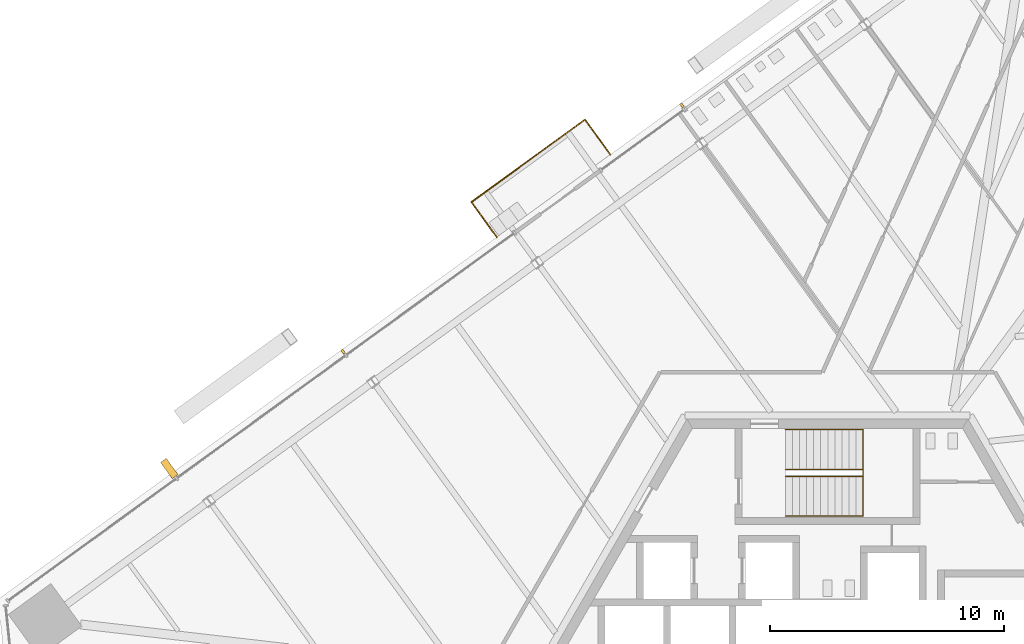
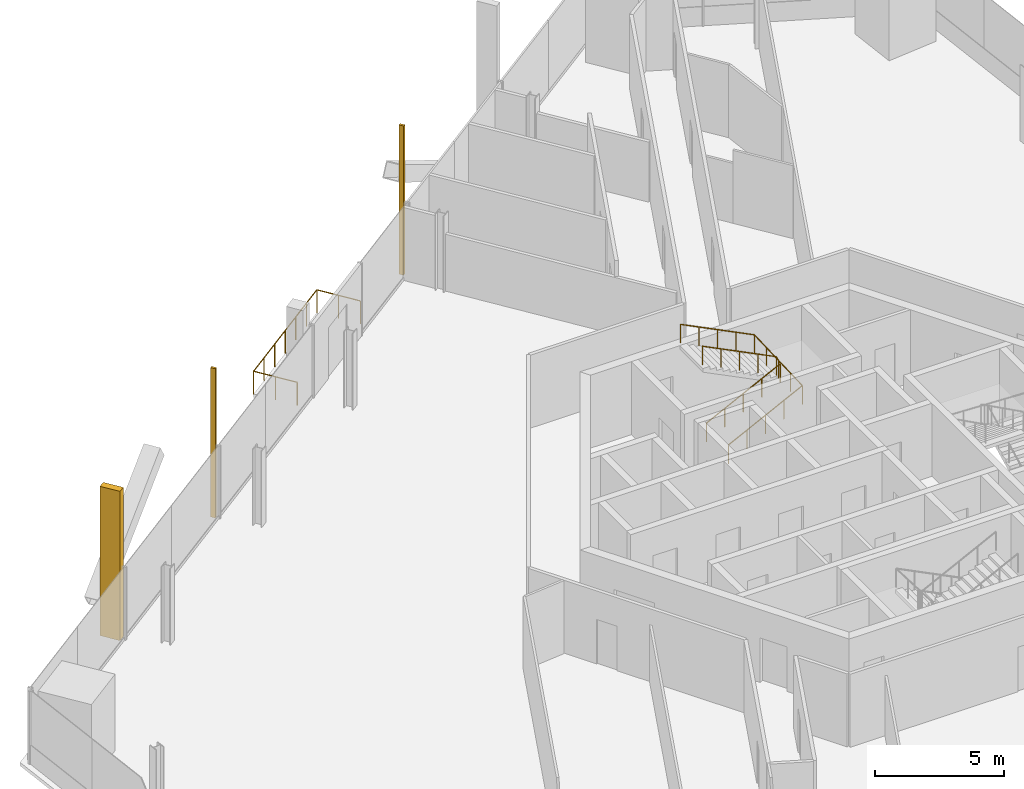
# One storey, part 17 of 21: 3 railings, 3 shading devices.
"""IFC4 building model written with IfcOpenShell, lengths in metres."""

from ifc_helpers import new_model, si_unit, direction, frame, origin, origin_2d, place, context, subcontext, project, spatial, rectangle, circle, extrude, source, transform, mapped, material, type_object, element, save


model = new_model("IFC4")

# Units and contexts
model_context = context("Model", 3, precision=1e-05, world=origin(), true_north=direction((0.0, 1.0)))
body_context = subcontext(model_context, "Body", "Model", "MODEL_VIEW")
ifc_project = project(units=[si_unit("LENGTHUNIT", "METRE"), si_unit("AREAUNIT", "SQUARE_METRE"), si_unit("VOLUMEUNIT", "CUBIC_METRE"), si_unit("PLANEANGLEUNIT", "RADIAN"), si_unit("MASSUNIT", "GRAM", prefix="KILO")], contexts=[model_context])

# Site, building, storey
site_placement = place(None, origin())
site = spatial("IfcSite", under=ifc_project, at=site_placement, CompositionType="ELEMENT")
building_placement = place(site_placement, origin())
building = spatial("IfcBuilding", under=site, at=building_placement, Name="Triune Harvest Tower", CompositionType="ELEMENT")
storey_placement = place(building_placement, frame((0.0, 0.0, 65.699951171875)))
storey = spatial("IfcBuildingStorey", under=building, at=storey_placement, Name="L15", CompositionType="ELEMENT", Elevation=65.699951171875)

# Railings
ifc_material_1 = material(Name="Glass", Category="glass")
railing_type_1 = type_object("IfcRailingType", Name="GD-2 balcony guard 1100", PredefinedType="GUARDRAIL", material=ifc_material_1)
railing_1_placement = place(storey_placement, frame((-9.276123046875, 21.687255859375, 0.0)))
element("IfcRailing", 1, at=railing_1_placement, inside=storey, type_object=railing_type_1, Name="Balcony guard B2-F3 L15.6", PredefinedType="GUARDRAIL", context=body_context, shape_type="SweptSolid", body=[
    extrude(circle(Radius=0.02392578125, at=origin_2d()), frame((0.0, 0.0, 1.076171875), z_axis=(-0.587841163615, 0.808976369469, 0.0), x_axis=(-0.808976369469, -0.587841163615, 0.0)), (0.0, 0.0, 1.0), 1.8447265625),
    extrude(circle(Radius=0.02392578125, at=origin_2d()), frame((-1.08447265625, 1.492431640625, 1.076171875), z_axis=(-0.808999938455, -0.587808727036, 0.0), x_axis=(0.587808727036, -0.808999938455, 0.0)), (0.0, 0.0, 1.0), 6.0),
    extrude(circle(Radius=0.02392578125, at=origin_2d()), frame((-5.9384765625, -2.034423828125, 1.076171875), z_axis=(0.587754546485, -0.809039302559, 0.0), x_axis=(0.809039302559, 0.587754546485, 0.0)), (0.0, 0.0, 1.0), 1.8447265625),
    extrude(circle(Radius=0.02099609375, at=origin_2d()), origin(), (0.0, 0.0, 1.0), 1.052001953125),
    extrude(circle(Radius=0.02099609375, at=origin_2d()), frame((-0.542236328125, 0.74609375, 0.0)), (0.0, 0.0, 1.0), 1.052001953125),
    extrude(circle(Radius=0.02099609375, at=origin_2d()), frame((-1.08447265625, 1.492431640625, 0.0)), (0.0, 0.0, 1.0), 1.052001953125),
    extrude(circle(Radius=0.02099609375, at=origin_2d()), frame((-1.8935546875, 0.904541015625, 0.0)), (0.0, 0.0, 1.0), 1.052001953125),
    extrude(circle(Radius=0.02099609375, at=origin_2d()), frame((-2.702392578125, 0.31689453125, 0.0)), (0.0, 0.0, 1.0), 1.052001953125),
    extrude(circle(Radius=0.02099609375, at=origin_2d()), frame((-3.511474609375, -0.27099609375, 0.0)), (0.0, 0.0, 1.0), 1.052001953125),
    extrude(circle(Radius=0.02099609375, at=origin_2d()), frame((-4.320556640625, -0.85888671875, 0.0)), (0.0, 0.0, 1.0), 1.052001953125),
    extrude(circle(Radius=0.02099609375, at=origin_2d()), frame((-5.12939453125, -1.446533203125, 0.0)), (0.0, 0.0, 1.0), 1.052001953125),
    extrude(circle(Radius=0.02099609375, at=origin_2d()), frame((-5.9384765625, -2.034423828125, 0.0)), (0.0, 0.0, 1.0), 1.052001953125),
    extrude(circle(Radius=0.02099609375, at=origin_2d()), frame((-5.396484375, -2.78076171875, 0.0)), (0.0, 0.0, 1.0), 1.052001953125),
    extrude(circle(Radius=0.02099609375, at=origin_2d()), frame((-4.854248046875, -3.52685546875, 0.0)), (0.0, 0.0, 1.0), 1.052001953125),
])
ifc_material_2 = material(Name="Stainless steel AISI 316", Category="steel")
railing_type_2 = type_object("IfcRailingType", Name="Stair handrail", PredefinedType="HANDRAIL", material=ifc_material_2)
shared_shape_1 = source(origin(), body_context, "Body", "SweptSolid", [
    extrude(circle(Radius=0.02392578125, at=origin_2d()), frame((0.0, 0.0, 0.8759765625), z_axis=(0.894440424912, 0.0, 0.447187126696), x_axis=(0.0, 1.0, 0.0)), (0.0, 0.0, 1.0), 3.689453125),
    extrude(circle(Radius=0.02392578125, at=origin_2d()), frame((3.300048828125, 0.0, 2.52587890625), z_axis=(0.0, 0.999180289278, 0.040481471304), x_axis=(-1.0, 0.0, 0.0)), (0.0, 0.0, 1.0), 3.702880859375),
    extrude(circle(Radius=0.02392578125, at=origin_2d()), frame((3.300048828125, 3.699951171875, 2.67578125), z_axis=(-0.894413956696, 0.0, 0.447240063129), x_axis=(0.0, -1.0, 0.0)), (0.0, 0.0, 1.0), 3.689697265625),
    extrude(circle(Radius=0.02099609375, at=origin_2d()), origin(), (0.0, 0.0, 1.0), 0.851806640625),
    extrude(circle(Radius=0.02099609375, at=origin_2d()), frame((0.824951171875, 0.0, 0.41259765625)), (0.0, 0.0, 1.0), 0.851806640625),
    extrude(circle(Radius=0.02099609375, at=origin_2d()), frame((1.64990234375, 0.0, 0.824951171875)), (0.0, 0.0, 1.0), 0.851806640625),
    extrude(circle(Radius=0.02099609375, at=origin_2d()), frame((2.47509765625, 0.0, 1.2373046875)), (0.0, 0.0, 1.0), 0.851806640625),
    extrude(circle(Radius=0.02099609375, at=origin_2d()), frame((3.300048828125, 0.0, 1.64990234375)), (0.0, 0.0, 1.0), 0.851806640625),
    extrude(circle(Radius=0.02099609375, at=origin_2d()), frame((3.300048828125, 0.925048828125, 1.6875)), (0.0, 0.0, 1.0), 0.851806640625),
    extrude(circle(Radius=0.02099609375, at=origin_2d()), frame((3.300048828125, 1.85009765625, 1.724853515625)), (0.0, 0.0, 1.0), 0.851806640625),
    extrude(circle(Radius=0.02099609375, at=origin_2d()), frame((3.300048828125, 2.77490234375, 1.76220703125)), (0.0, 0.0, 1.0), 0.851806640625),
    extrude(circle(Radius=0.02099609375, at=origin_2d()), frame((3.300048828125, 3.699951171875, 1.7998046875)), (0.0, 0.0, 1.0), 0.851806640625),
    extrude(circle(Radius=0.02099609375, at=origin_2d()), frame((2.47509765625, 3.699951171875, 2.21240234375)), (0.0, 0.0, 1.0), 0.851806640625),
    extrude(circle(Radius=0.02099609375, at=origin_2d()), frame((1.64990234375, 3.699951171875, 2.625)), (0.0, 0.0, 1.0), 0.851806640625),
    extrude(circle(Radius=0.02099609375, at=origin_2d()), frame((0.824951171875, 3.699951171875, 3.037353515625)), (0.0, 0.0, 1.0), 0.851806640625),
    extrude(circle(Radius=0.02099609375, at=origin_2d()), frame((0.0, 3.699951171875, 3.449951171875)), (0.0, 0.0, 1.0), 0.851806640625),
])
railing_2_placement = place(storey_placement, frame((-1.7900390625, 6.239990234375, 0.150146484375)))
element("IfcRailing", 2, at=railing_2_placement, inside=storey, type_object=railing_type_2, Name="Exit stair north wall handrail", PredefinedType="HANDRAIL", context=body_context, shape_type="MappedRepresentation", body=[
    mapped(shared_shape_1, transform((0.0, 0.0, 0.0), scale=1.0)),
])
shared_shape_2 = source(origin(), body_context, "Body", "SweptSolid", [
    extrude(circle(Radius=0.02392578125, at=origin_2d()), frame((0.0, 0.0, 0.8759765625), z_axis=(0.894440424912, 0.0, 0.447187126696), x_axis=(0.0, 1.0, 0.0)), (0.0, 0.0, 1.0), 3.689453125),
    extrude(circle(Radius=0.02392578125, at=origin_2d()), frame((3.300048828125, 0.0, 2.52587890625), z_axis=(0.0, 0.894572720946, 0.446922417137), x_axis=(-1.0, 0.0, 0.0)), (0.0, 0.0, 1.0), 0.33544921875),
    extrude(circle(Radius=0.02392578125, at=origin_2d()), frame((3.300048828125, 0.300048828125, 2.67578125), z_axis=(-0.894413956696, 0.0, 0.447240063129), x_axis=(0.0, -1.0, 0.0)), (0.0, 0.0, 1.0), 3.689697265625),
    extrude(circle(Radius=0.02099609375, at=origin_2d()), origin(), (0.0, 0.0, 1.0), 0.851806640625),
    extrude(circle(Radius=0.02099609375, at=origin_2d()), frame((0.824951171875, 0.0, 0.41259765625)), (0.0, 0.0, 1.0), 0.851806640625),
    extrude(circle(Radius=0.02099609375, at=origin_2d()), frame((1.64990234375, 0.0, 0.824951171875)), (0.0, 0.0, 1.0), 0.851806640625),
    extrude(circle(Radius=0.02099609375, at=origin_2d()), frame((2.47509765625, 0.0, 1.2373046875)), (0.0, 0.0, 1.0), 0.851806640625),
    extrude(circle(Radius=0.02099609375, at=origin_2d()), frame((3.300048828125, 0.0, 1.64990234375)), (0.0, 0.0, 1.0), 0.851806640625),
    extrude(circle(Radius=0.02099609375, at=origin_2d()), frame((3.300048828125, 0.300048828125, 1.7998046875)), (0.0, 0.0, 1.0), 0.851806640625),
    extrude(circle(Radius=0.02099609375, at=origin_2d()), frame((2.47509765625, 0.300048828125, 2.21240234375)), (0.0, 0.0, 1.0), 0.851806640625),
    extrude(circle(Radius=0.02099609375, at=origin_2d()), frame((1.64990234375, 0.300048828125, 2.625)), (0.0, 0.0, 1.0), 0.851806640625),
    extrude(circle(Radius=0.02099609375, at=origin_2d()), frame((0.824951171875, 0.300048828125, 3.037353515625)), (0.0, 0.0, 1.0), 0.851806640625),
    extrude(circle(Radius=0.02099609375, at=origin_2d()), frame((0.0, 0.300048828125, 3.449951171875)), (0.0, 0.0, 1.0), 0.851806640625),
])
railing_3_placement = place(storey_placement, frame((-1.7900390625, 7.93994140625, 0.150146484375)))
element("IfcRailing", 3, at=railing_3_placement, inside=storey, type_object=railing_type_2, Name="Exit stair north centre handrail", PredefinedType="HANDRAIL", context=body_context, shape_type="MappedRepresentation", body=[
    mapped(shared_shape_2, transform((0.0, 0.0, 0.0), scale=1.0)),
])

# Shading devices
ifc_material_3 = material(Name="Aluminium bronze anodised", Category="aluminium")
shared_shape_3 = source(origin(), body_context, "Body", "SweptSolid", [
    extrude(rectangle(XDim=0.10009765625, YDim=0.199951171875, at=origin_2d()), origin(), (0.0, 0.0, 1.0), 7.0400390625),
])
for number, where, z_axis, x_axis, name in (
    (4, (-6.2158203125, 23.787109375, 0.0), (0.0, 0.0, 1.0), (-0.809017013446, -0.587785226043, 0.0), "FN-1 fin B2-F3.5 L15"),
    (5, (-20.6923828125, 13.269287109375, 0.0), (0.0, 0.0, 1.0), (-0.809017013446, -0.587785226043, 0.0), "FN-1 fin B2-F3.9 L15"),
):
    element("IfcShadingDevice", number, at=place(storey_placement, frame(where, z_axis=z_axis, x_axis=x_axis)), inside=storey, material=ifc_material_3, Name=name, ObjectType="FIN", PredefinedType="USERDEFINED", context=body_context, shape_type="MappedRepresentation", body=[
        mapped(shared_shape_3, transform((0.0, 0.0, 0.0), scale=1.0)),
    ])
shared_shape_4 = source(origin(), body_context, "Body", "SweptSolid", [
    extrude(rectangle(XDim=0.300048828125, YDim=0.85009765625, at=origin_2d()), origin(), (0.0, 0.0, 1.0), 7.0400390625),
])
shading_device_placement = place(storey_placement, frame((-28.116943359375, 8.276611328125, 0.0), z_axis=(0.0, 0.0, 1.0), x_axis=(-0.809017013446, -0.587785226043, 0.0)))
element("IfcShadingDevice", 6, at=shading_device_placement, inside=storey, material=ifc_material_3, Name="FN-2 fin B2-F3.11 L15", ObjectType="FIN", PredefinedType="USERDEFINED", context=body_context, shape_type="MappedRepresentation", body=[
    mapped(shared_shape_4, transform((0.0, 0.0, 0.0), scale=1.0)),
])

save(model, "model.ifc")
